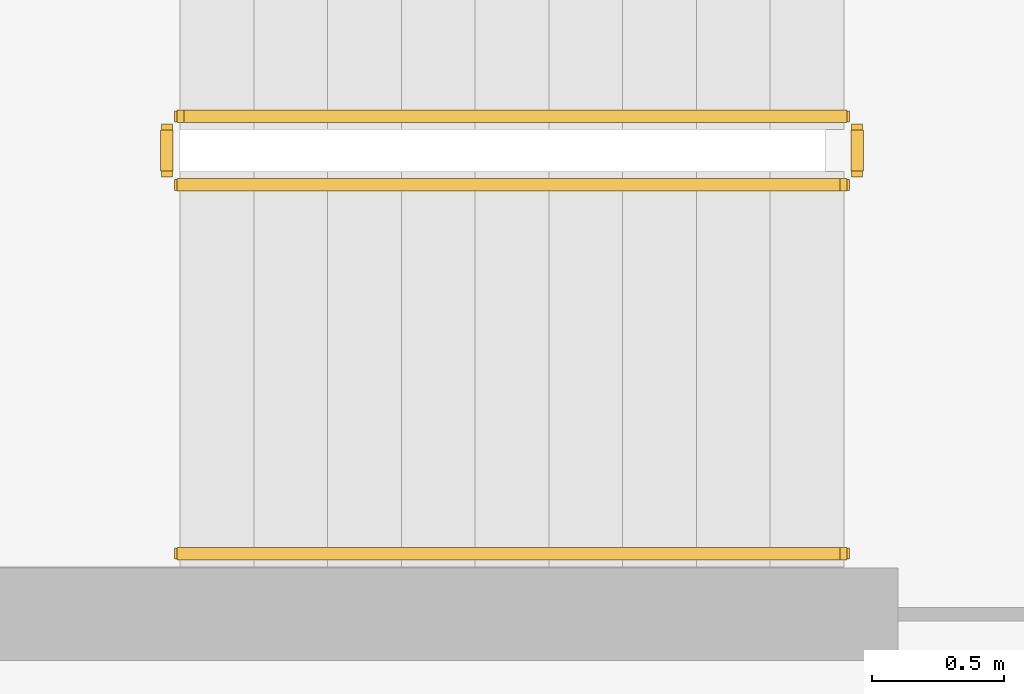
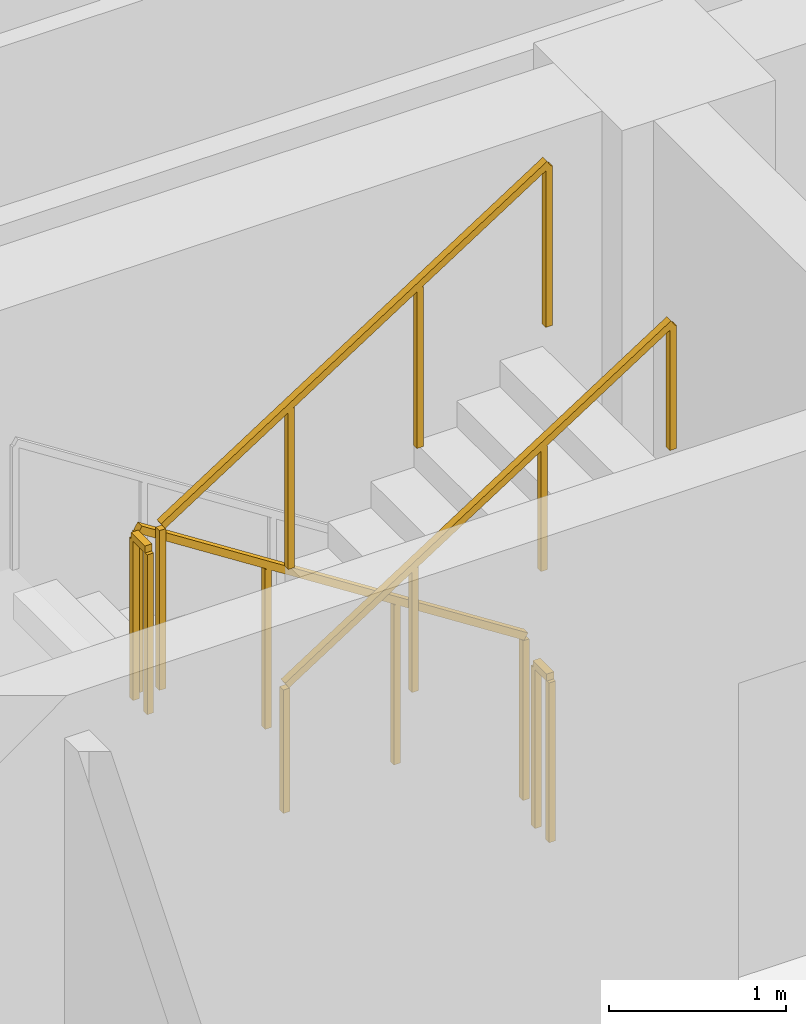
# One storey, part 13 of 15: 5 railings.
"""IFC4 building model written with IfcOpenShell, lengths in metres."""

from ifc_helpers import new_model, si_unit, direction, frame, origin, origin_2d, place, context, subcontext, project, spatial, rectangle, extrude, material, type_object, element, save


model = new_model("IFC4")

# Units and contexts
model_context = context("Model", 3, precision=1e-05, world=origin(), true_north=direction((0.0, 1.0)))
body_context = subcontext(model_context, "Body", "Model", "MODEL_VIEW")
ifc_project = project(units=[si_unit("LENGTHUNIT", "METRE"), si_unit("AREAUNIT", "SQUARE_METRE"), si_unit("VOLUMEUNIT", "CUBIC_METRE"), si_unit("PLANEANGLEUNIT", "RADIAN"), si_unit("MASSUNIT", "GRAM", prefix="KILO")], contexts=[model_context])

# Site, building, storey
site_placement = place(None, origin())
site = spatial("IfcSite", under=ifc_project, at=site_placement, CompositionType="ELEMENT")
building_placement = place(site_placement, origin())
building = spatial("IfcBuilding", under=site, at=building_placement, Name="Zarnavel Station Tower", CompositionType="ELEMENT")
storey_placement = place(building_placement, frame((0.0, 0.0, 200.39990234375)))
storey = spatial("IfcBuildingStorey", under=building, at=storey_placement, Name="L54", CompositionType="ELEMENT", Elevation=200.39990234375)

# Railings
ifc_material_1 = material(Name="Painted Steel S355J2 Balustrade", Category="steel")
railing_type_1 = type_object("IfcRailingType", Name="GR_INT_1150", PredefinedType="GUARDRAIL", material=ifc_material_1)
railing_1_placement = place(storey_placement, frame((19.47998046875, 35.3701171875, 0.18017578125)))
element("IfcRailing", 1, at=railing_1_placement, inside=storey, type_object=railing_type_1, Name="L54 ST1 stair guard 1", PredefinedType="GUARDRAIL", context=body_context, shape_type="SweptSolid", body=[
    extrude(rectangle(XDim=0.048095703125, YDim=0.048095703125, at=origin_2d()), frame((-0.001708984375, 0.0, 1.126953125), z_axis=(-0.841199657755, 0.0, 0.540724639528), x_axis=(0.0, -1.0, 0.0)), (0.0, 0.0, 1.0), 2.99169921875),
    extrude(rectangle(XDim=0.0419921875, YDim=0.0419921875, at=origin_2d()), origin(), (0.0, 0.0, 1.0), 1.101806640625),
    extrude(rectangle(XDim=0.0419921875, YDim=0.0419921875, at=origin_2d()), frame((-0.840087890625, 0.0, 0.5400390625)), (0.0, 0.0, 1.0), 1.101806640625),
    extrude(rectangle(XDim=0.0419921875, YDim=0.0419921875, at=origin_2d()), frame((-1.679931640625, 0.0, 1.079833984375)), (0.0, 0.0, 1.0), 1.101806640625),
    extrude(rectangle(XDim=0.0419921875, YDim=0.0419921875, at=origin_2d()), frame((-2.52001953125, 0.0, 1.619873046875)), (0.0, 0.0, 1.0), 1.101806640625),
])
railing_2_placement = place(storey_placement, frame((16.909912109375, 35.320068359375, 1.800048828125)))
element("IfcRailing", 2, at=railing_2_placement, inside=storey, type_object=railing_type_1, Name="L54 ST1 stair guard 2", PredefinedType="GUARDRAIL", context=body_context, shape_type="SweptSolid", body=[
    extrude(rectangle(XDim=0.048095703125, YDim=0.048095703125, at=origin_2d()), frame((0.0, -0.001953125, 1.1259765625), z_axis=(0.0, -1.0, 0.0), x_axis=(1.0, 0.0, 0.0)), (0.0, 0.0, 1.0), 0.15625),
    extrude(rectangle(XDim=0.0419921875, YDim=0.0419921875, at=origin_2d()), origin(), (0.0, 0.0, 1.0), 1.101806640625),
    extrude(rectangle(XDim=0.0419921875, YDim=0.0419921875, at=origin_2d()), frame((0.0, -0.16015625, 0.0)), (0.0, 0.0, 1.0), 1.101806640625),
])
railing_3_placement = place(storey_placement, frame((16.9599609375, 35.110107421875, 1.97998046875)))
element("IfcRailing", 3, at=railing_3_placement, inside=storey, type_object=railing_type_1, Name="L54 ST1 stair guard 3", PredefinedType="GUARDRAIL", context=body_context, shape_type="SweptSolid", body=[
    extrude(rectangle(XDim=0.048095703125, YDim=0.048095703125, at=origin_2d()), frame((0.001708984375, 0.0, 1.126953125), z_axis=(0.841162588446, 0.0, 0.540782303519), x_axis=(0.0, 1.0, 0.0)), (0.0, 0.0, 1.0), 2.991943359375),
    extrude(rectangle(XDim=0.0419921875, YDim=0.0419921875, at=origin_2d()), origin(), (0.0, 0.0, 1.0), 1.101806640625),
    extrude(rectangle(XDim=0.0419921875, YDim=0.0419921875, at=origin_2d()), frame((0.840087890625, 0.0, 0.5400390625)), (0.0, 0.0, 1.0), 1.101806640625),
    extrude(rectangle(XDim=0.0419921875, YDim=0.0419921875, at=origin_2d()), frame((1.679931640625, 0.0, 1.080078125)), (0.0, 0.0, 1.0), 1.101806640625),
    extrude(rectangle(XDim=0.0419921875, YDim=0.0419921875, at=origin_2d()), frame((2.52001953125, 0.0, 1.6201171875)), (0.0, 0.0, 1.0), 1.101806640625),
])
railing_4_placement = place(storey_placement, frame((19.530029296875, 35.320068359375, 0.0)))
element("IfcRailing", 4, at=railing_4_placement, inside=storey, type_object=railing_type_1, Name="L54 ST1 stair guard 4", PredefinedType="GUARDRAIL", context=body_context, shape_type="SweptSolid", body=[
    extrude(rectangle(XDim=0.048095703125, YDim=0.048095703125, at=origin_2d()), frame((0.0, -0.001953125, 1.1259765625), z_axis=(0.0, -1.0, 0.0), x_axis=(1.0, 0.0, 0.0)), (0.0, 0.0, 1.0), 0.15625),
    extrude(rectangle(XDim=0.0419921875, YDim=0.0419921875, at=origin_2d()), origin(), (0.0, 0.0, 1.0), 1.101806640625),
    extrude(rectangle(XDim=0.0419921875, YDim=0.0419921875, at=origin_2d()), frame((0.0, -0.16015625, 0.0)), (0.0, 0.0, 1.0), 1.101806640625),
])
ifc_material_2 = material(Name="Brushed Stainless Steel S355J2 Handrail", Category="steel")
railing_type_2 = type_object("IfcRailingType", Name="HR_STAIR_900", PredefinedType="HANDRAIL", material=ifc_material_2)
railing_5_placement = place(storey_placement, frame((16.9599609375, 33.7099609375, 1.97998046875)))
element("IfcRailing", 5, at=railing_5_placement, inside=storey, type_object=railing_type_2, Name="L54 ST1 stair handrail 2", PredefinedType="HANDRAIL", context=body_context, shape_type="SweptSolid", body=[
    extrude(rectangle(XDim=0.048095703125, YDim=0.048095703125, at=origin_2d()), frame((0.001708984375, 0.0, 0.876953125), z_axis=(0.841162588446, 0.0, 0.540782303519), x_axis=(0.0, 1.0, 0.0)), (0.0, 0.0, 1.0), 2.991943359375),
    extrude(rectangle(XDim=0.0419921875, YDim=0.0419921875, at=origin_2d()), origin(), (0.0, 0.0, 1.0), 0.851806640625),
    extrude(rectangle(XDim=0.0419921875, YDim=0.0419921875, at=origin_2d()), frame((0.840087890625, 0.0, 0.5400390625)), (0.0, 0.0, 1.0), 0.851806640625),
    extrude(rectangle(XDim=0.0419921875, YDim=0.0419921875, at=origin_2d()), frame((1.679931640625, 0.0, 1.080078125)), (0.0, 0.0, 1.0), 0.851806640625),
    extrude(rectangle(XDim=0.0419921875, YDim=0.0419921875, at=origin_2d()), frame((2.52001953125, 0.0, 1.6201171875)), (0.0, 0.0, 1.0), 0.851806640625),
])

save(model, "model.ifc")
